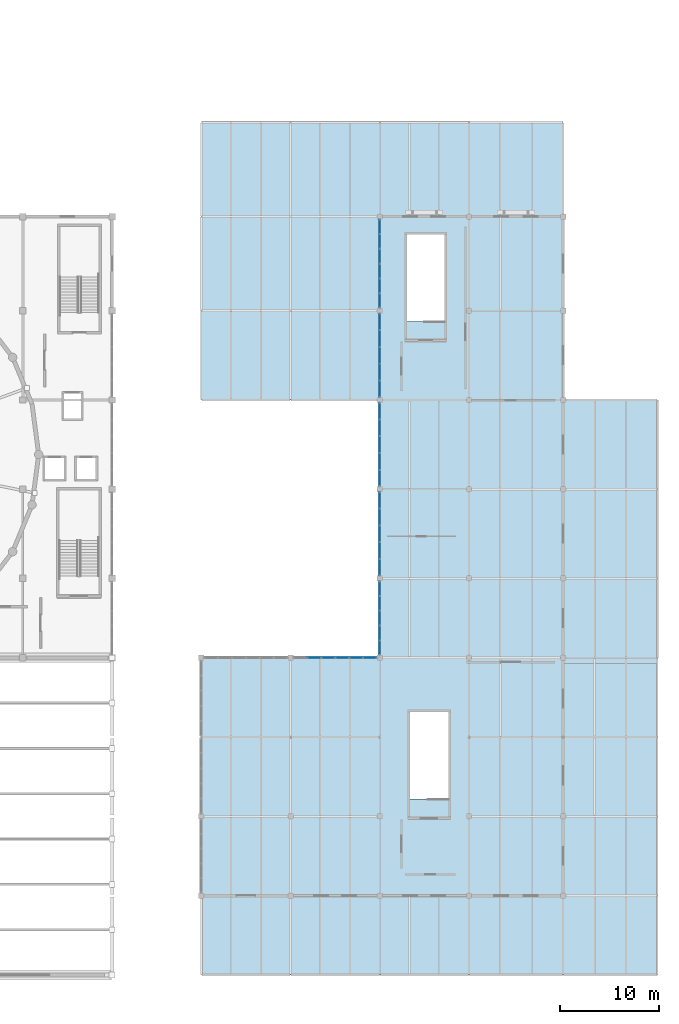
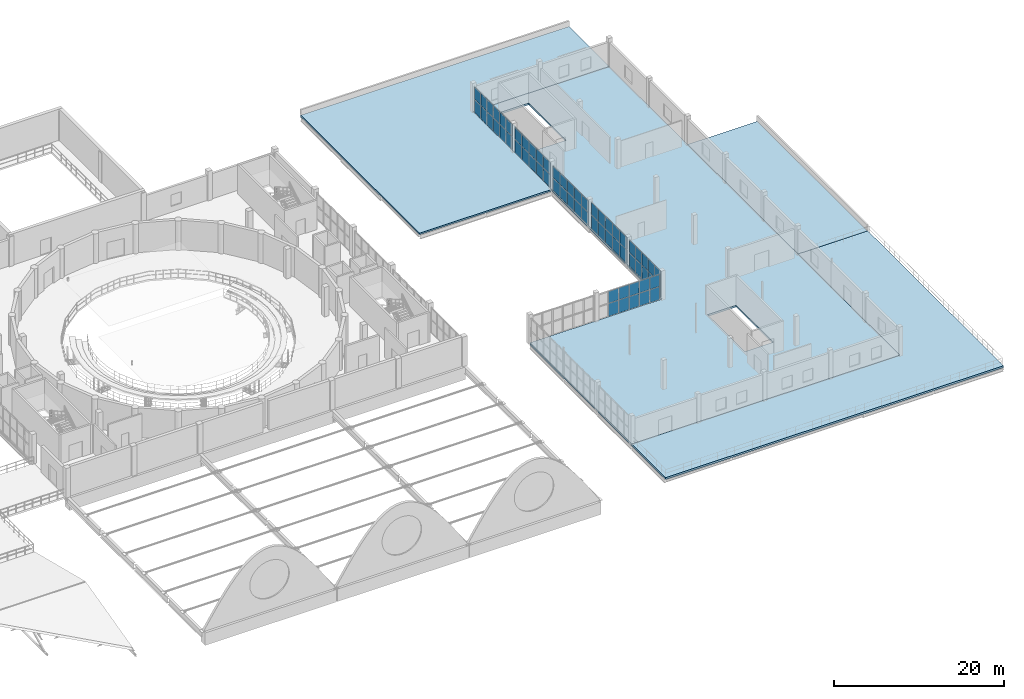
# One storey, part 37 of 54: 62 plates, 4 slabs, 6 elements without a shape of their own.
"""IFC4 building model written with IfcOpenShell, lengths in metres."""

from ifc_helpers import new_model, si_unit, direction, frame, origin, origin_2d, place, context, subcontext, project, spatial, polyline, rectangle, outline, extrude, material, layer, layer_set, type_object, element, aggregate, save


model = new_model("IFC4")

# Units and contexts
model_context = context("Model", 3, precision=1e-05, world=origin(), true_north=direction((0.0, 1.0)))
body_context = subcontext(model_context, "Body", "Model", "MODEL_VIEW")
ifc_project = project(units=[si_unit("LENGTHUNIT", "METRE"), si_unit("AREAUNIT", "SQUARE_METRE"), si_unit("VOLUMEUNIT", "CUBIC_METRE"), si_unit("PLANEANGLEUNIT", "RADIAN"), si_unit("MASSUNIT", "GRAM", prefix="KILO")], contexts=[model_context])

# Site, building, storey
site_placement = place(None, origin())
site = spatial("IfcSite", under=ifc_project, at=site_placement, CompositionType="ELEMENT")
building_placement = place(site_placement, origin())
building = spatial("IfcBuilding", under=site, at=building_placement, Name="Marnock Terrace Opera House", CompositionType="ELEMENT")
storey_placement = place(building_placement, frame((0.0, 0.0, 19.199951171875)))
storey = spatial("IfcBuildingStorey", under=building, at=storey_placement, Name="L04", CompositionType="ELEMENT", Elevation=19.199951171875)

# Curtain wall, plates
ifc_material_1 = material(Name="Anodised architectural bronze aluminium framing", Category="aluminium")
ifc_layer_1 = layer(ifc_material_1, 0.159912109375)
ifc_layer_set_1 = layer_set([ifc_layer_1], Name="Anodised architectural bronze aluminium framing")
curtain_wall_type = type_object("IfcCurtainWallType", Name="CW-DRUM-71x39", PredefinedType="NOTDEFINED", material=ifc_layer_set_1)
curtain_wall_1_placement = place(storey_placement, origin())
curtain_wall_1 = element("IfcCurtainWall", 1, at=curtain_wall_1_placement, inside=storey, type_object=curtain_wall_type, Name="L04 glazed Beaux-Arts colonnade curtain wall CW-L04-V5C1", PredefinedType="NOTDEFINED")
ifc_material_2 = material(Name="Double-glazed acoustic low-E laminated glass", Category="glass")
ifc_layer_2 = layer(ifc_material_2, 0.028076171875)
ifc_layer_set_2 = layer_set([ifc_layer_2], Name="Double-glazed acoustic low-E laminated glass")
plate_type = type_object("IfcPlateType", Name="CWP-GLZ-28", PredefinedType="CURTAIN_PANEL", material=ifc_layer_set_2)
plate_1_placement = place(storey_placement, frame((136.0, 41.03173828125, 0.06005859375), z_axis=(0.0, 0.0, 1.0), x_axis=(0.0, 1.0, 0.0)))
plate_1 = element("IfcPlate", 2, at=plate_1_placement, type_object=plate_type, Name="CW-76 panel 1.1", PredefinedType="CURTAIN_PANEL", context=body_context, shape_type="SweptSolid", body=[
    extrude(rectangle(XDim=1.401611328125, YDim=0.028076171875, at=origin_2d()), origin(), (0.0, 0.0, 1.0), 1.93505859375),
])
plate_2_placement = place(storey_placement, frame((136.0, 41.03173828125, 2.05517578125), z_axis=(0.0, 0.0, 1.0), x_axis=(0.0, 1.0, 0.0)))
plate_2 = element("IfcPlate", 3, at=plate_2_placement, type_object=plate_type, Name="CW-76 panel 1.2", PredefinedType="CURTAIN_PANEL", context=body_context, shape_type="SweptSolid", body=[
    extrude(rectangle(XDim=1.401611328125, YDim=0.028076171875, at=origin_2d()), origin(), (0.0, 0.0, 1.0), 1.779296875),
])
plate_3_placement = place(storey_placement, frame((136.0, 42.50830078125, 0.06005859375), z_axis=(0.0, 0.0, 1.0), x_axis=(0.0, 1.0, 0.0)))
plate_3 = element("IfcPlate", 4, at=plate_3_placement, type_object=plate_type, Name="CW-76 panel 2.1", PredefinedType="CURTAIN_PANEL", context=body_context, shape_type="SweptSolid", body=[
    extrude(rectangle(XDim=1.431640625, YDim=0.028076171875, at=origin_2d()), origin(), (0.0, 0.0, 1.0), 1.93505859375),
])
plate_4_placement = place(storey_placement, frame((136.0, 42.50830078125, 2.05517578125), z_axis=(0.0, 0.0, 1.0), x_axis=(0.0, 1.0, 0.0)))
plate_4 = element("IfcPlate", 5, at=plate_4_placement, type_object=plate_type, Name="CW-76 panel 2.2", PredefinedType="CURTAIN_PANEL", context=body_context, shape_type="SweptSolid", body=[
    extrude(rectangle(XDim=1.431640625, YDim=0.028076171875, at=origin_2d()), origin(), (0.0, 0.0, 1.0), 1.779296875),
])
plate_5_placement = place(storey_placement, frame((136.0, 44.0, 0.06005859375), z_axis=(0.0, 0.0, 1.0), x_axis=(0.0, 1.0, 0.0)))
plate_5 = element("IfcPlate", 6, at=plate_5_placement, type_object=plate_type, Name="CW-76 panel 3.1", PredefinedType="CURTAIN_PANEL", context=body_context, shape_type="SweptSolid", body=[
    extrude(rectangle(XDim=1.431640625, YDim=0.028076171875, at=origin_2d()), origin(), (0.0, 0.0, 1.0), 1.93505859375),
])
plate_6_placement = place(storey_placement, frame((136.0, 44.0, 2.05517578125), z_axis=(0.0, 0.0, 1.0), x_axis=(0.0, 1.0, 0.0)))
plate_6 = element("IfcPlate", 7, at=plate_6_placement, type_object=plate_type, Name="CW-76 panel 3.2", PredefinedType="CURTAIN_PANEL", context=body_context, shape_type="SweptSolid", body=[
    extrude(rectangle(XDim=1.431640625, YDim=0.028076171875, at=origin_2d()), origin(), (0.0, 0.0, 1.0), 1.779296875),
])
plate_7_placement = place(storey_placement, frame((136.0, 45.49169921875, 0.06005859375), z_axis=(0.0, 0.0, 1.0), x_axis=(0.0, 1.0, 0.0)))
plate_7 = element("IfcPlate", 8, at=plate_7_placement, type_object=plate_type, Name="CW-76 panel 4.1", PredefinedType="CURTAIN_PANEL", context=body_context, shape_type="SweptSolid", body=[
    extrude(rectangle(XDim=1.431640625, YDim=0.028076171875, at=origin_2d()), origin(), (0.0, 0.0, 1.0), 1.93505859375),
])
plate_8_placement = place(storey_placement, frame((136.0, 45.49169921875, 2.05517578125), z_axis=(0.0, 0.0, 1.0), x_axis=(0.0, 1.0, 0.0)))
plate_8 = element("IfcPlate", 9, at=plate_8_placement, type_object=plate_type, Name="CW-76 panel 4.2", PredefinedType="CURTAIN_PANEL", context=body_context, shape_type="SweptSolid", body=[
    extrude(rectangle(XDim=1.431640625, YDim=0.028076171875, at=origin_2d()), origin(), (0.0, 0.0, 1.0), 1.779296875),
])
plate_9_placement = place(storey_placement, frame((136.0, 46.96826171875, 0.06005859375), z_axis=(0.0, 0.0, 1.0), x_axis=(0.0, 1.0, 0.0)))
plate_9 = element("IfcPlate", 10, at=plate_9_placement, type_object=plate_type, Name="CW-76 panel 5.1", PredefinedType="CURTAIN_PANEL", context=body_context, shape_type="SweptSolid", body=[
    extrude(rectangle(XDim=1.401611328125, YDim=0.028076171875, at=origin_2d()), origin(), (0.0, 0.0, 1.0), 1.93505859375),
])
plate_10_placement = place(storey_placement, frame((136.0, 46.96826171875, 2.05517578125), z_axis=(0.0, 0.0, 1.0), x_axis=(0.0, 1.0, 0.0)))
plate_10 = element("IfcPlate", 11, at=plate_10_placement, type_object=plate_type, Name="CW-76 panel 5.2", PredefinedType="CURTAIN_PANEL", context=body_context, shape_type="SweptSolid", body=[
    extrude(rectangle(XDim=1.401611328125, YDim=0.028076171875, at=origin_2d()), origin(), (0.0, 0.0, 1.0), 1.779296875),
])
aggregate(curtain_wall_1, [plate_1, plate_2, plate_3, plate_4, plate_5, plate_6, plate_7, plate_8, plate_9, plate_10])

curtain_wall_2_placement = place(storey_placement, origin())
curtain_wall_2 = element("IfcCurtainWall", 12, at=curtain_wall_2_placement, inside=storey, type_object=curtain_wall_type, Name="L04 glazed Beaux-Arts colonnade curtain wall CW-L04-V5C2", PredefinedType="NOTDEFINED")
plate_11_placement = place(storey_placement, frame((136.0, 49.1318359375, 0.06005859375), z_axis=(0.0, 0.0, 1.0), x_axis=(0.0, 1.0, 0.0)))
plate_11 = element("IfcPlate", 13, at=plate_11_placement, type_object=plate_type, Name="CW-76 panel 1.1", PredefinedType="CURTAIN_PANEL", context=body_context, shape_type="SweptSolid", body=[
    extrude(rectangle(XDim=1.6015625, YDim=0.028076171875, at=origin_2d()), origin(), (0.0, 0.0, 1.0), 1.93505859375),
])
plate_12_placement = place(storey_placement, frame((136.0, 49.1318359375, 2.05517578125), z_axis=(0.0, 0.0, 1.0), x_axis=(0.0, 1.0, 0.0)))
plate_12 = element("IfcPlate", 14, at=plate_12_placement, type_object=plate_type, Name="CW-76 panel 1.2", PredefinedType="CURTAIN_PANEL", context=body_context, shape_type="SweptSolid", body=[
    extrude(rectangle(XDim=1.6015625, YDim=0.028076171875, at=origin_2d()), origin(), (0.0, 0.0, 1.0), 1.779296875),
])
plate_13_placement = place(storey_placement, frame((136.0, 50.808349609375, 0.06005859375), z_axis=(0.0, 0.0, 1.0), x_axis=(0.0, 1.0, 0.0)))
plate_13 = element("IfcPlate", 15, at=plate_13_placement, type_object=plate_type, Name="CW-76 panel 2.1", PredefinedType="CURTAIN_PANEL", context=body_context, shape_type="SweptSolid", body=[
    extrude(rectangle(XDim=1.631591796875, YDim=0.028076171875, at=origin_2d()), origin(), (0.0, 0.0, 1.0), 1.93505859375),
])
plate_14_placement = place(storey_placement, frame((136.0, 50.808349609375, 2.05517578125), z_axis=(0.0, 0.0, 1.0), x_axis=(0.0, 1.0, 0.0)))
plate_14 = element("IfcPlate", 16, at=plate_14_placement, type_object=plate_type, Name="CW-76 panel 2.2", PredefinedType="CURTAIN_PANEL", context=body_context, shape_type="SweptSolid", body=[
    extrude(rectangle(XDim=1.631591796875, YDim=0.028076171875, at=origin_2d()), origin(), (0.0, 0.0, 1.0), 1.779296875),
])
plate_15_placement = place(storey_placement, frame((136.0, 52.5, 0.06005859375), z_axis=(0.0, 0.0, 1.0), x_axis=(0.0, 1.0, 0.0)))
plate_15 = element("IfcPlate", 17, at=plate_15_placement, type_object=plate_type, Name="CW-76 panel 3.1", PredefinedType="CURTAIN_PANEL", context=body_context, shape_type="SweptSolid", body=[
    extrude(rectangle(XDim=1.631591796875, YDim=0.028076171875, at=origin_2d()), origin(), (0.0, 0.0, 1.0), 1.93505859375),
])
plate_16_placement = place(storey_placement, frame((136.0, 52.5, 2.05517578125), z_axis=(0.0, 0.0, 1.0), x_axis=(0.0, 1.0, 0.0)))
plate_16 = element("IfcPlate", 18, at=plate_16_placement, type_object=plate_type, Name="CW-76 panel 3.2", PredefinedType="CURTAIN_PANEL", context=body_context, shape_type="SweptSolid", body=[
    extrude(rectangle(XDim=1.631591796875, YDim=0.028076171875, at=origin_2d()), origin(), (0.0, 0.0, 1.0), 1.779296875),
])
plate_17_placement = place(storey_placement, frame((136.0, 54.191650390625, 0.06005859375), z_axis=(0.0, 0.0, 1.0), x_axis=(0.0, 1.0, 0.0)))
plate_17 = element("IfcPlate", 19, at=plate_17_placement, type_object=plate_type, Name="CW-76 panel 4.1", PredefinedType="CURTAIN_PANEL", context=body_context, shape_type="SweptSolid", body=[
    extrude(rectangle(XDim=1.631591796875, YDim=0.028076171875, at=origin_2d()), origin(), (0.0, 0.0, 1.0), 1.93505859375),
])
plate_18_placement = place(storey_placement, frame((136.0, 54.191650390625, 2.05517578125), z_axis=(0.0, 0.0, 1.0), x_axis=(0.0, 1.0, 0.0)))
plate_18 = element("IfcPlate", 20, at=plate_18_placement, type_object=plate_type, Name="CW-76 panel 4.2", PredefinedType="CURTAIN_PANEL", context=body_context, shape_type="SweptSolid", body=[
    extrude(rectangle(XDim=1.631591796875, YDim=0.028076171875, at=origin_2d()), origin(), (0.0, 0.0, 1.0), 1.779296875),
])
plate_19_placement = place(storey_placement, frame((136.0, 55.8681640625, 0.06005859375), z_axis=(0.0, 0.0, 1.0), x_axis=(0.0, 1.0, 0.0)))
plate_19 = element("IfcPlate", 21, at=plate_19_placement, type_object=plate_type, Name="CW-76 panel 5.1", PredefinedType="CURTAIN_PANEL", context=body_context, shape_type="SweptSolid", body=[
    extrude(rectangle(XDim=1.6015625, YDim=0.028076171875, at=origin_2d()), origin(), (0.0, 0.0, 1.0), 1.93505859375),
])
plate_20_placement = place(storey_placement, frame((136.0, 55.8681640625, 2.05517578125), z_axis=(0.0, 0.0, 1.0), x_axis=(0.0, 1.0, 0.0)))
plate_20 = element("IfcPlate", 22, at=plate_20_placement, type_object=plate_type, Name="CW-76 panel 5.2", PredefinedType="CURTAIN_PANEL", context=body_context, shape_type="SweptSolid", body=[
    extrude(rectangle(XDim=1.6015625, YDim=0.028076171875, at=origin_2d()), origin(), (0.0, 0.0, 1.0), 1.779296875),
])
aggregate(curtain_wall_2, [plate_11, plate_12, plate_13, plate_14, plate_15, plate_16, plate_17, plate_18, plate_19, plate_20])

curtain_wall_3_placement = place(storey_placement, origin())
curtain_wall_3 = element("IfcCurtainWall", 23, at=curtain_wall_3_placement, inside=storey, type_object=curtain_wall_type, Name="L04 glazed Beaux-Arts colonnade curtain wall CW-L04-V5C3", PredefinedType="NOTDEFINED")
plate_21_placement = place(storey_placement, frame((136.0, 58.1318359375, 0.06005859375), z_axis=(0.0, 0.0, 1.0), x_axis=(0.0, 1.0, 0.0)))
plate_21 = element("IfcPlate", 24, at=plate_21_placement, type_object=plate_type, Name="CW-76 panel 1.1", PredefinedType="CURTAIN_PANEL", context=body_context, shape_type="SweptSolid", body=[
    extrude(rectangle(XDim=1.6015625, YDim=0.028076171875, at=origin_2d()), origin(), (0.0, 0.0, 1.0), 1.806884765625),
])
plate_22_placement = place(storey_placement, frame((136.0, 58.1318359375, 1.92724609375), z_axis=(0.0, 0.0, 1.0), x_axis=(0.0, 1.0, 0.0)))
plate_22 = element("IfcPlate", 25, at=plate_22_placement, type_object=plate_type, Name="CW-76 panel 1.2", PredefinedType="CURTAIN_PANEL", context=body_context, shape_type="SweptSolid", body=[
    extrude(rectangle(XDim=1.6015625, YDim=0.028076171875, at=origin_2d()), origin(), (0.0, 0.0, 1.0), 1.660888671875),
])
plate_23_placement = place(storey_placement, frame((136.0, 59.808349609375, 0.06005859375), z_axis=(0.0, 0.0, 1.0), x_axis=(0.0, 1.0, 0.0)))
plate_23 = element("IfcPlate", 26, at=plate_23_placement, type_object=plate_type, Name="CW-76 panel 2.1", PredefinedType="CURTAIN_PANEL", context=body_context, shape_type="SweptSolid", body=[
    extrude(rectangle(XDim=1.631591796875, YDim=0.028076171875, at=origin_2d()), origin(), (0.0, 0.0, 1.0), 1.806884765625),
])
plate_24_placement = place(storey_placement, frame((136.0, 59.808349609375, 1.92724609375), z_axis=(0.0, 0.0, 1.0), x_axis=(0.0, 1.0, 0.0)))
plate_24 = element("IfcPlate", 27, at=plate_24_placement, type_object=plate_type, Name="CW-76 panel 2.2", PredefinedType="CURTAIN_PANEL", context=body_context, shape_type="SweptSolid", body=[
    extrude(rectangle(XDim=1.631591796875, YDim=0.028076171875, at=origin_2d()), origin(), (0.0, 0.0, 1.0), 1.660888671875),
])
plate_25_placement = place(storey_placement, frame((136.0, 61.5, 0.06005859375), z_axis=(0.0, 0.0, 1.0), x_axis=(0.0, 1.0, 0.0)))
plate_25 = element("IfcPlate", 28, at=plate_25_placement, type_object=plate_type, Name="CW-76 panel 3.1", PredefinedType="CURTAIN_PANEL", context=body_context, shape_type="SweptSolid", body=[
    extrude(rectangle(XDim=1.631591796875, YDim=0.028076171875, at=origin_2d()), origin(), (0.0, 0.0, 1.0), 1.806884765625),
])
plate_26_placement = place(storey_placement, frame((136.0, 61.5, 1.92724609375), z_axis=(0.0, 0.0, 1.0), x_axis=(0.0, 1.0, 0.0)))
plate_26 = element("IfcPlate", 29, at=plate_26_placement, type_object=plate_type, Name="CW-76 panel 3.2", PredefinedType="CURTAIN_PANEL", context=body_context, shape_type="SweptSolid", body=[
    extrude(rectangle(XDim=1.631591796875, YDim=0.028076171875, at=origin_2d()), origin(), (0.0, 0.0, 1.0), 1.660888671875),
])
plate_27_placement = place(storey_placement, frame((136.0, 63.191650390625, 0.06005859375), z_axis=(0.0, 0.0, 1.0), x_axis=(0.0, 1.0, 0.0)))
plate_27 = element("IfcPlate", 30, at=plate_27_placement, type_object=plate_type, Name="CW-76 panel 4.1", PredefinedType="CURTAIN_PANEL", context=body_context, shape_type="SweptSolid", body=[
    extrude(rectangle(XDim=1.631591796875, YDim=0.028076171875, at=origin_2d()), origin(), (0.0, 0.0, 1.0), 1.806884765625),
])
plate_28_placement = place(storey_placement, frame((136.0, 63.191650390625, 1.92724609375), z_axis=(0.0, 0.0, 1.0), x_axis=(0.0, 1.0, 0.0)))
plate_28 = element("IfcPlate", 31, at=plate_28_placement, type_object=plate_type, Name="CW-76 panel 4.2", PredefinedType="CURTAIN_PANEL", context=body_context, shape_type="SweptSolid", body=[
    extrude(rectangle(XDim=1.631591796875, YDim=0.028076171875, at=origin_2d()), origin(), (0.0, 0.0, 1.0), 1.660888671875),
])
plate_29_placement = place(storey_placement, frame((136.0, 64.8681640625, 0.06005859375), z_axis=(0.0, 0.0, 1.0), x_axis=(0.0, 1.0, 0.0)))
plate_29 = element("IfcPlate", 32, at=plate_29_placement, type_object=plate_type, Name="CW-76 panel 5.1", PredefinedType="CURTAIN_PANEL", context=body_context, shape_type="SweptSolid", body=[
    extrude(rectangle(XDim=1.6015625, YDim=0.028076171875, at=origin_2d()), origin(), (0.0, 0.0, 1.0), 1.806884765625),
])
plate_30_placement = place(storey_placement, frame((136.0, 64.8681640625, 1.92724609375), z_axis=(0.0, 0.0, 1.0), x_axis=(0.0, 1.0, 0.0)))
plate_30 = element("IfcPlate", 33, at=plate_30_placement, type_object=plate_type, Name="CW-76 panel 5.2", PredefinedType="CURTAIN_PANEL", context=body_context, shape_type="SweptSolid", body=[
    extrude(rectangle(XDim=1.6015625, YDim=0.028076171875, at=origin_2d()), origin(), (0.0, 0.0, 1.0), 1.660888671875),
])
aggregate(curtain_wall_3, [plate_21, plate_22, plate_23, plate_24, plate_25, plate_26, plate_27, plate_28, plate_29, plate_30])

curtain_wall_4_placement = place(storey_placement, origin())
curtain_wall_4 = element("IfcCurtainWall", 34, at=curtain_wall_4_placement, inside=storey, type_object=curtain_wall_type, Name="L04 glazed Beaux-Arts colonnade curtain wall CW-L04-V5C4", PredefinedType="NOTDEFINED")
plate_31_placement = place(storey_placement, frame((136.0, 67.1318359375, 0.06005859375), z_axis=(0.0, 0.0, 1.0), x_axis=(0.0, 1.0, 0.0)))
plate_31 = element("IfcPlate", 35, at=plate_31_placement, type_object=plate_type, Name="CW-76 panel 1.1", PredefinedType="CURTAIN_PANEL", context=body_context, shape_type="SweptSolid", body=[
    extrude(rectangle(XDim=1.6015625, YDim=0.028076171875, at=origin_2d()), origin(), (0.0, 0.0, 1.0), 1.845458984375),
])
plate_32_placement = place(storey_placement, frame((136.0, 67.1318359375, 1.96533203125), z_axis=(0.0, 0.0, 1.0), x_axis=(0.0, 1.0, 0.0)))
plate_32 = element("IfcPlate", 36, at=plate_32_placement, type_object=plate_type, Name="CW-76 panel 1.2", PredefinedType="CURTAIN_PANEL", context=body_context, shape_type="SweptSolid", body=[
    extrude(rectangle(XDim=1.6015625, YDim=0.028076171875, at=origin_2d()), origin(), (0.0, 0.0, 1.0), 1.696533203125),
])
plate_33_placement = place(storey_placement, frame((136.0, 68.808349609375, 0.06005859375), z_axis=(0.0, 0.0, 1.0), x_axis=(0.0, 1.0, 0.0)))
plate_33 = element("IfcPlate", 37, at=plate_33_placement, type_object=plate_type, Name="CW-76 panel 2.1", PredefinedType="CURTAIN_PANEL", context=body_context, shape_type="SweptSolid", body=[
    extrude(rectangle(XDim=1.631591796875, YDim=0.028076171875, at=origin_2d()), origin(), (0.0, 0.0, 1.0), 1.845458984375),
])
plate_34_placement = place(storey_placement, frame((136.0, 68.808349609375, 1.96533203125), z_axis=(0.0, 0.0, 1.0), x_axis=(0.0, 1.0, 0.0)))
plate_34 = element("IfcPlate", 38, at=plate_34_placement, type_object=plate_type, Name="CW-76 panel 2.2", PredefinedType="CURTAIN_PANEL", context=body_context, shape_type="SweptSolid", body=[
    extrude(rectangle(XDim=1.631591796875, YDim=0.028076171875, at=origin_2d()), origin(), (0.0, 0.0, 1.0), 1.696533203125),
])
plate_35_placement = place(storey_placement, frame((136.0, 70.5, 0.06005859375), z_axis=(0.0, 0.0, 1.0), x_axis=(0.0, 1.0, 0.0)))
plate_35 = element("IfcPlate", 39, at=plate_35_placement, type_object=plate_type, Name="CW-76 panel 3.1", PredefinedType="CURTAIN_PANEL", context=body_context, shape_type="SweptSolid", body=[
    extrude(rectangle(XDim=1.631591796875, YDim=0.028076171875, at=origin_2d()), origin(), (0.0, 0.0, 1.0), 1.845458984375),
])
plate_36_placement = place(storey_placement, frame((136.0, 70.5, 1.96533203125), z_axis=(0.0, 0.0, 1.0), x_axis=(0.0, 1.0, 0.0)))
plate_36 = element("IfcPlate", 40, at=plate_36_placement, type_object=plate_type, Name="CW-76 panel 3.2", PredefinedType="CURTAIN_PANEL", context=body_context, shape_type="SweptSolid", body=[
    extrude(rectangle(XDim=1.631591796875, YDim=0.028076171875, at=origin_2d()), origin(), (0.0, 0.0, 1.0), 1.696533203125),
])
plate_37_placement = place(storey_placement, frame((136.0, 72.191650390625, 0.06005859375), z_axis=(0.0, 0.0, 1.0), x_axis=(0.0, 1.0, 0.0)))
plate_37 = element("IfcPlate", 41, at=plate_37_placement, type_object=plate_type, Name="CW-76 panel 4.1", PredefinedType="CURTAIN_PANEL", context=body_context, shape_type="SweptSolid", body=[
    extrude(rectangle(XDim=1.631591796875, YDim=0.028076171875, at=origin_2d()), origin(), (0.0, 0.0, 1.0), 1.845458984375),
])
plate_38_placement = place(storey_placement, frame((136.0, 72.191650390625, 1.96533203125), z_axis=(0.0, 0.0, 1.0), x_axis=(0.0, 1.0, 0.0)))
plate_38 = element("IfcPlate", 42, at=plate_38_placement, type_object=plate_type, Name="CW-76 panel 4.2", PredefinedType="CURTAIN_PANEL", context=body_context, shape_type="SweptSolid", body=[
    extrude(rectangle(XDim=1.631591796875, YDim=0.028076171875, at=origin_2d()), origin(), (0.0, 0.0, 1.0), 1.696533203125),
])
plate_39_placement = place(storey_placement, frame((136.0, 73.8681640625, 0.06005859375), z_axis=(0.0, 0.0, 1.0), x_axis=(0.0, 1.0, 0.0)))
plate_39 = element("IfcPlate", 43, at=plate_39_placement, type_object=plate_type, Name="CW-76 panel 5.1", PredefinedType="CURTAIN_PANEL", context=body_context, shape_type="SweptSolid", body=[
    extrude(rectangle(XDim=1.6015625, YDim=0.028076171875, at=origin_2d()), origin(), (0.0, 0.0, 1.0), 1.845458984375),
])
plate_40_placement = place(storey_placement, frame((136.0, 73.8681640625, 1.96533203125), z_axis=(0.0, 0.0, 1.0), x_axis=(0.0, 1.0, 0.0)))
plate_40 = element("IfcPlate", 44, at=plate_40_placement, type_object=plate_type, Name="CW-76 panel 5.2", PredefinedType="CURTAIN_PANEL", context=body_context, shape_type="SweptSolid", body=[
    extrude(rectangle(XDim=1.6015625, YDim=0.028076171875, at=origin_2d()), origin(), (0.0, 0.0, 1.0), 1.696533203125),
])
aggregate(curtain_wall_4, [plate_31, plate_32, plate_33, plate_34, plate_35, plate_36, plate_37, plate_38, plate_39, plate_40])

curtain_wall_5_placement = place(storey_placement, origin())
curtain_wall_5 = element("IfcCurtainWall", 45, at=curtain_wall_5_placement, inside=storey, type_object=curtain_wall_type, Name="L04 glazed Beaux-Arts colonnade curtain wall CW-L04-V5C5", PredefinedType="NOTDEFINED")
plate_41_placement = place(storey_placement, frame((136.0, 76.032470703125, 0.06005859375), z_axis=(0.0, 0.0, 1.0), x_axis=(0.0, 1.0, 0.0)))
plate_41 = element("IfcPlate", 46, at=plate_41_placement, type_object=plate_type, Name="CW-76 panel 1.1", PredefinedType="CURTAIN_PANEL", context=body_context, shape_type="SweptSolid", body=[
    extrude(rectangle(XDim=1.403076171875, YDim=0.028076171875, at=origin_2d()), origin(), (0.0, 0.0, 1.0), 1.882080078125),
])
plate_42_placement = place(storey_placement, frame((136.0, 76.032470703125, 2.002197265625), z_axis=(0.0, 0.0, 1.0), x_axis=(0.0, 1.0, 0.0)))
plate_42 = element("IfcPlate", 47, at=plate_42_placement, type_object=plate_type, Name="CW-76 panel 1.2", PredefinedType="CURTAIN_PANEL", context=body_context, shape_type="SweptSolid", body=[
    extrude(rectangle(XDim=1.403076171875, YDim=0.028076171875, at=origin_2d()), origin(), (0.0, 0.0, 1.0), 1.73046875),
])
plate_43_placement = place(storey_placement, frame((136.0, 77.510498046875, 0.06005859375), z_axis=(0.0, 0.0, 1.0), x_axis=(0.0, 1.0, 0.0)))
plate_43 = element("IfcPlate", 48, at=plate_43_placement, type_object=plate_type, Name="CW-76 panel 2.1", PredefinedType="CURTAIN_PANEL", context=body_context, shape_type="SweptSolid", body=[
    extrude(rectangle(XDim=1.43310546875, YDim=0.028076171875, at=origin_2d()), origin(), (0.0, 0.0, 1.0), 1.882080078125),
])
plate_44_placement = place(storey_placement, frame((136.0, 77.510498046875, 2.002197265625), z_axis=(0.0, 0.0, 1.0), x_axis=(0.0, 1.0, 0.0)))
plate_44 = element("IfcPlate", 49, at=plate_44_placement, type_object=plate_type, Name="CW-76 panel 2.2", PredefinedType="CURTAIN_PANEL", context=body_context, shape_type="SweptSolid", body=[
    extrude(rectangle(XDim=1.43310546875, YDim=0.028076171875, at=origin_2d()), origin(), (0.0, 0.0, 1.0), 1.73046875),
])
plate_45_placement = place(storey_placement, frame((136.0, 79.00341796875, 0.06005859375), z_axis=(0.0, 0.0, 1.0), x_axis=(0.0, 1.0, 0.0)))
plate_45 = element("IfcPlate", 50, at=plate_45_placement, type_object=plate_type, Name="CW-76 panel 3.1", PredefinedType="CURTAIN_PANEL", context=body_context, shape_type="SweptSolid", body=[
    extrude(rectangle(XDim=1.43310546875, YDim=0.028076171875, at=origin_2d()), origin(), (0.0, 0.0, 1.0), 1.882080078125),
])
plate_46_placement = place(storey_placement, frame((136.0, 79.00341796875, 2.002197265625), z_axis=(0.0, 0.0, 1.0), x_axis=(0.0, 1.0, 0.0)))
plate_46 = element("IfcPlate", 51, at=plate_46_placement, type_object=plate_type, Name="CW-76 panel 3.2", PredefinedType="CURTAIN_PANEL", context=body_context, shape_type="SweptSolid", body=[
    extrude(rectangle(XDim=1.43310546875, YDim=0.028076171875, at=origin_2d()), origin(), (0.0, 0.0, 1.0), 1.73046875),
])
plate_47_placement = place(storey_placement, frame((136.0, 80.49658203125, 0.06005859375), z_axis=(0.0, 0.0, 1.0), x_axis=(0.0, 1.0, 0.0)))
plate_47 = element("IfcPlate", 52, at=plate_47_placement, type_object=plate_type, Name="CW-76 panel 4.1", PredefinedType="CURTAIN_PANEL", context=body_context, shape_type="SweptSolid", body=[
    extrude(rectangle(XDim=1.43310546875, YDim=0.028076171875, at=origin_2d()), origin(), (0.0, 0.0, 1.0), 1.882080078125),
])
plate_48_placement = place(storey_placement, frame((136.0, 80.49658203125, 2.002197265625), z_axis=(0.0, 0.0, 1.0), x_axis=(0.0, 1.0, 0.0)))
plate_48 = element("IfcPlate", 53, at=plate_48_placement, type_object=plate_type, Name="CW-76 panel 4.2", PredefinedType="CURTAIN_PANEL", context=body_context, shape_type="SweptSolid", body=[
    extrude(rectangle(XDim=1.43310546875, YDim=0.028076171875, at=origin_2d()), origin(), (0.0, 0.0, 1.0), 1.73046875),
])
plate_49_placement = place(storey_placement, frame((136.0, 81.989501953125, 0.06005859375), z_axis=(0.0, 0.0, 1.0), x_axis=(0.0, 1.0, 0.0)))
plate_49 = element("IfcPlate", 54, at=plate_49_placement, type_object=plate_type, Name="CW-76 panel 5.1", PredefinedType="CURTAIN_PANEL", context=body_context, shape_type="SweptSolid", body=[
    extrude(rectangle(XDim=1.43310546875, YDim=0.028076171875, at=origin_2d()), origin(), (0.0, 0.0, 1.0), 1.882080078125),
])
plate_50_placement = place(storey_placement, frame((136.0, 81.989501953125, 2.002197265625), z_axis=(0.0, 0.0, 1.0), x_axis=(0.0, 1.0, 0.0)))
plate_50 = element("IfcPlate", 55, at=plate_50_placement, type_object=plate_type, Name="CW-76 panel 5.2", PredefinedType="CURTAIN_PANEL", context=body_context, shape_type="SweptSolid", body=[
    extrude(rectangle(XDim=1.43310546875, YDim=0.028076171875, at=origin_2d()), origin(), (0.0, 0.0, 1.0), 1.73046875),
])
plate_51_placement = place(storey_placement, frame((136.0, 83.467529296875, 0.06005859375), z_axis=(0.0, 0.0, 1.0), x_axis=(0.0, 1.0, 0.0)))
plate_51 = element("IfcPlate", 56, at=plate_51_placement, type_object=plate_type, Name="CW-76 panel 6.1", PredefinedType="CURTAIN_PANEL", context=body_context, shape_type="SweptSolid", body=[
    extrude(rectangle(XDim=1.403076171875, YDim=0.028076171875, at=origin_2d()), origin(), (0.0, 0.0, 1.0), 1.882080078125),
])
plate_52_placement = place(storey_placement, frame((136.0, 83.467529296875, 2.002197265625), z_axis=(0.0, 0.0, 1.0), x_axis=(0.0, 1.0, 0.0)))
plate_52 = element("IfcPlate", 57, at=plate_52_placement, type_object=plate_type, Name="CW-76 panel 6.2", PredefinedType="CURTAIN_PANEL", context=body_context, shape_type="SweptSolid", body=[
    extrude(rectangle(XDim=1.403076171875, YDim=0.028076171875, at=origin_2d()), origin(), (0.0, 0.0, 1.0), 1.73046875),
])
aggregate(curtain_wall_5, [plate_41, plate_42, plate_43, plate_44, plate_45, plate_46, plate_47, plate_48, plate_49, plate_50, plate_51, plate_52])

curtain_wall_6_placement = place(storey_placement, origin())
curtain_wall_6 = element("IfcCurtainWall", 58, at=curtain_wall_6_placement, inside=storey, type_object=curtain_wall_type, Name="L04 glazed Beaux-Arts colonnade curtain wall CW-L04-V5CS2", PredefinedType="NOTDEFINED")
plate_53_placement = place(storey_placement, frame((129.385498046875, 40.0, 0.06005859375), z_axis=(0.0, 0.0, 1.0), x_axis=(1.0, 0.0, 0.0)))
plate_53 = element("IfcPlate", 59, at=plate_53_placement, type_object=plate_type, Name="CW-76 panel 2.1", PredefinedType="CURTAIN_PANEL", context=body_context, shape_type="SweptSolid", body=[
    extrude(rectangle(XDim=1.349609375, YDim=0.028076171875, at=origin_2d()), origin(), (0.0, 0.0, 1.0), 1.8427734375),
])
plate_54_placement = place(storey_placement, frame((129.385498046875, 40.0, 1.962890625), z_axis=(0.0, 0.0, 1.0), x_axis=(1.0, 0.0, 0.0)))
plate_54 = element("IfcPlate", 60, at=plate_54_placement, type_object=plate_type, Name="CW-76 panel 2.2", PredefinedType="CURTAIN_PANEL", context=body_context, shape_type="SweptSolid", body=[
    extrude(rectangle(XDim=1.349609375, YDim=0.028076171875, at=origin_2d()), origin(), (0.0, 0.0, 1.0), 1.694091796875),
])
plate_55_placement = place(storey_placement, frame((130.795166015625, 40.0, 0.06005859375), z_axis=(0.0, 0.0, 1.0), x_axis=(1.0, 0.0, 0.0)))
plate_55 = element("IfcPlate", 61, at=plate_55_placement, type_object=plate_type, Name="CW-76 panel 3.1", PredefinedType="CURTAIN_PANEL", context=body_context, shape_type="SweptSolid", body=[
    extrude(rectangle(XDim=1.349609375, YDim=0.028076171875, at=origin_2d()), origin(), (0.0, 0.0, 1.0), 1.8427734375),
])
plate_56_placement = place(storey_placement, frame((130.795166015625, 40.0, 1.962890625), z_axis=(0.0, 0.0, 1.0), x_axis=(1.0, 0.0, 0.0)))
plate_56 = element("IfcPlate", 62, at=plate_56_placement, type_object=plate_type, Name="CW-76 panel 3.2", PredefinedType="CURTAIN_PANEL", context=body_context, shape_type="SweptSolid", body=[
    extrude(rectangle(XDim=1.349609375, YDim=0.028076171875, at=origin_2d()), origin(), (0.0, 0.0, 1.0), 1.694091796875),
])
plate_57_placement = place(storey_placement, frame((132.204833984375, 40.0, 0.06005859375), z_axis=(0.0, 0.0, 1.0), x_axis=(1.0, 0.0, 0.0)))
plate_57 = element("IfcPlate", 63, at=plate_57_placement, type_object=plate_type, Name="CW-76 panel 4.1", PredefinedType="CURTAIN_PANEL", context=body_context, shape_type="SweptSolid", body=[
    extrude(rectangle(XDim=1.349609375, YDim=0.028076171875, at=origin_2d()), origin(), (0.0, 0.0, 1.0), 1.8427734375),
])
plate_58_placement = place(storey_placement, frame((132.204833984375, 40.0, 1.962890625), z_axis=(0.0, 0.0, 1.0), x_axis=(1.0, 0.0, 0.0)))
plate_58 = element("IfcPlate", 64, at=plate_58_placement, type_object=plate_type, Name="CW-76 panel 4.2", PredefinedType="CURTAIN_PANEL", context=body_context, shape_type="SweptSolid", body=[
    extrude(rectangle(XDim=1.349609375, YDim=0.028076171875, at=origin_2d()), origin(), (0.0, 0.0, 1.0), 1.694091796875),
])
plate_59_placement = place(storey_placement, frame((133.614501953125, 40.0, 0.06005859375), z_axis=(0.0, 0.0, 1.0), x_axis=(1.0, 0.0, 0.0)))
plate_59 = element("IfcPlate", 65, at=plate_59_placement, type_object=plate_type, Name="CW-76 panel 5.1", PredefinedType="CURTAIN_PANEL", context=body_context, shape_type="SweptSolid", body=[
    extrude(rectangle(XDim=1.349609375, YDim=0.028076171875, at=origin_2d()), origin(), (0.0, 0.0, 1.0), 1.8427734375),
])
plate_60_placement = place(storey_placement, frame((133.614501953125, 40.0, 1.962890625), z_axis=(0.0, 0.0, 1.0), x_axis=(1.0, 0.0, 0.0)))
plate_60 = element("IfcPlate", 66, at=plate_60_placement, type_object=plate_type, Name="CW-76 panel 5.2", PredefinedType="CURTAIN_PANEL", context=body_context, shape_type="SweptSolid", body=[
    extrude(rectangle(XDim=1.349609375, YDim=0.028076171875, at=origin_2d()), origin(), (0.0, 0.0, 1.0), 1.694091796875),
])
plate_61_placement = place(storey_placement, frame((135.00927734375, 40.0, 0.06005859375), z_axis=(0.0, 0.0, 1.0), x_axis=(1.0, 0.0, 0.0)))
plate_61 = element("IfcPlate", 67, at=plate_61_placement, type_object=plate_type, Name="CW-76 panel 6.1", PredefinedType="CURTAIN_PANEL", context=body_context, shape_type="SweptSolid", body=[
    extrude(rectangle(XDim=1.319580078125, YDim=0.028076171875, at=origin_2d()), origin(), (0.0, 0.0, 1.0), 1.8427734375),
])
plate_62_placement = place(storey_placement, frame((135.00927734375, 40.0, 1.962890625), z_axis=(0.0, 0.0, 1.0), x_axis=(1.0, 0.0, 0.0)))
plate_62 = element("IfcPlate", 68, at=plate_62_placement, type_object=plate_type, Name="CW-76 panel 6.2", PredefinedType="CURTAIN_PANEL", context=body_context, shape_type="SweptSolid", body=[
    extrude(rectangle(XDim=1.319580078125, YDim=0.028076171875, at=origin_2d()), origin(), (0.0, 0.0, 1.0), 1.694091796875),
])
aggregate(curtain_wall_6, [plate_53, plate_54, plate_55, plate_56, plate_57, plate_58, plate_59, plate_60, plate_61, plate_62])

# Slabs
ifc_material_3 = material(Name="Concrete N40 (f'c = 40 MPa)", Category="concrete")
ifc_layer_3 = layer(ifc_material_3, 0.25)
ifc_layer_set_3 = layer_set([ifc_layer_3], Name="Concrete N40 (f'c = 40 MPa)")
slab_type_1 = type_object("IfcSlabType", Name="SL-FLR-250", PredefinedType="FLOOR", material=ifc_layer_set_3)
slab_1_placement = place(storey_placement, frame((0.0, 0.0, -0.25)))
element("IfcSlab", 69, at=slab_1_placement, inside=storey, type_object=slab_type_1, Name="L04 Artist Suites C-wing floor slab", PredefinedType="FLOOR", context=body_context, shape_type="SweptSolid", body=[
    extrude(outline(polyline([(118.0, 16.0), (154.5, 16.0), (154.5, 84.5), (136.0, 84.5), (136.0, 40.0), (118.0, 40.0), (118.0, 16.0)]), holes=[polyline([(142.919921875, 25.760009765625), (142.919921875, 34.52001953125), (139.0400390625, 34.52001953125), (139.0400390625, 25.760009765625), (142.919921875, 25.760009765625)]), polyline([(142.52001953125, 73.919921875), (142.52001953125, 82.719970703125), (138.719970703125, 82.719970703125), (138.719970703125, 73.919921875), (142.52001953125, 73.919921875)])]), origin(), (0.0, 0.0, 1.0), 0.25),
])
ifc_layer_4 = layer(ifc_material_3, 0.219970703125)
ifc_layer_set_4 = layer_set([ifc_layer_4], Name="Concrete N40 (f'c = 40 MPa)")
slab_type_2 = type_object("IfcSlabType", Name="SL-ROOF-220", PredefinedType="ROOF", material=ifc_layer_set_4)
slab_2_placement = place(storey_placement, frame((0.0, 0.0, -0.219970703125)))
element("IfcSlab", 70, at=slab_2_placement, inside=storey, type_object=slab_type_2, Name="L04 structural roof slab SL-ROOF-V5-STEP-L04E", PredefinedType="ROOF", context=body_context, shape_type="SweptSolid", body=[
    extrude(outline(polyline([(154.5, 40.0), (164.0, 40.0), (164.0, 66.0), (154.5, 66.0), (154.5, 40.0)])), origin(), (0.0, 0.0, 1.0), 0.219970703125),
])
slab_3_placement = place(storey_placement, frame((0.0, 0.0, -0.219970703125)))
element("IfcSlab", 71, at=slab_3_placement, inside=storey, type_object=slab_type_2, Name="L04 structural roof slab SL-ROOF-V5-STEP-L04N", PredefinedType="ROOF", context=body_context, shape_type="SweptSolid", body=[
    extrude(outline(polyline([(118.0, 66.0), (136.0, 66.0), (136.0, 84.5), (154.5, 84.5), (154.5, 94.0), (118.0, 94.0), (118.0, 66.0)])), origin(), (0.0, 0.0, 1.0), 0.219970703125),
])
ifc_layer_5 = layer(ifc_material_3, 0.27001953125)
ifc_layer_set_5 = layer_set([ifc_layer_5], Name="Concrete N40 (f'c = 40 MPa)")
slab_type_3 = type_object("IfcSlabType", Name="SL-TERR-270", PredefinedType="ROOF", material=ifc_layer_set_5)
slab_4_placement = place(storey_placement, frame((0.0, 0.0, -0.27001953125)))
element("IfcSlab", 72, at=slab_4_placement, inside=storey, type_object=slab_type_3, Name="planted roof garden terrace slab SL-TERR-L04-V5", PredefinedType="ROOF", context=body_context, shape_type="SweptSolid", body=[
    extrude(outline(polyline([(118.0, 8.0), (164.0, 8.0), (164.0, 40.0), (154.5, 40.0), (154.5, 16.0), (118.0, 16.0), (118.0, 8.0)])), origin(), (0.0, 0.0, 1.0), 0.27001953125),
])

save(model, "model.ifc")
